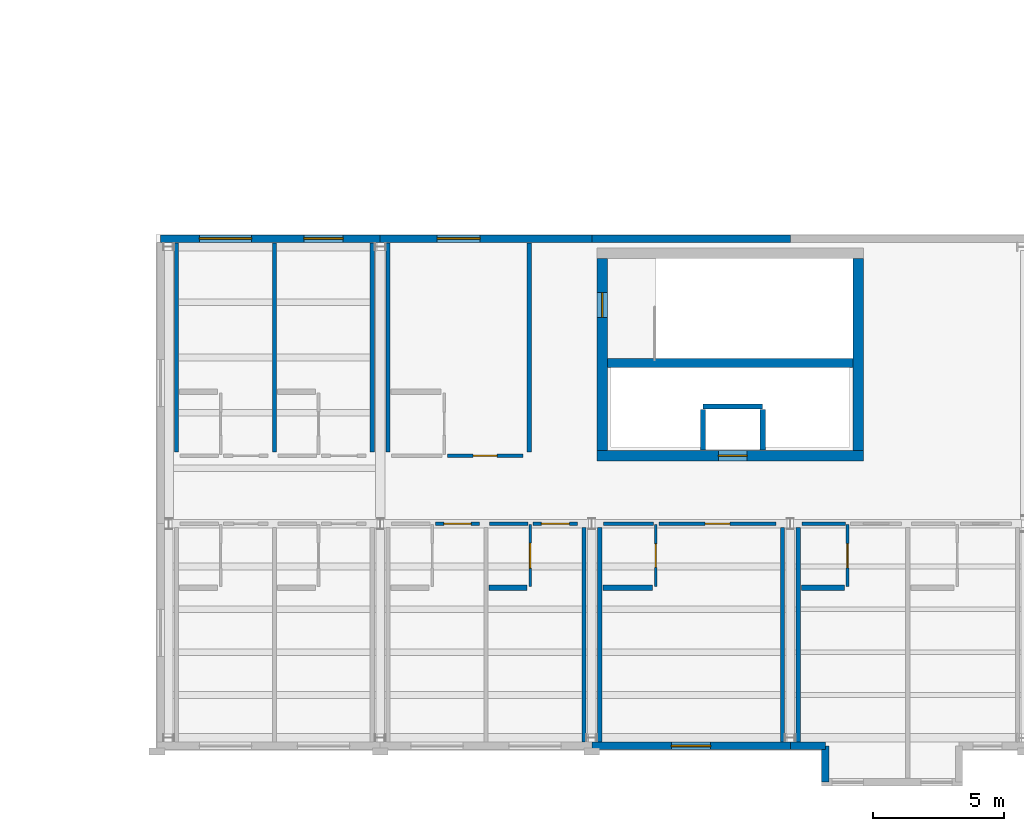
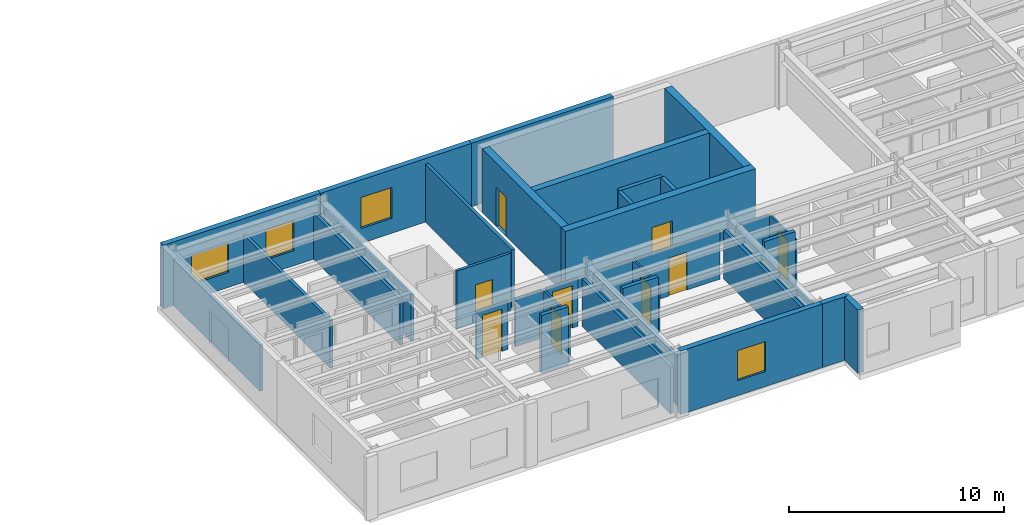
# One storey, part 12 of 27: 35 walls, 9 doors, 4 windows, 13 openings.
"""IFC4 building model written with IfcOpenShell, lengths in metres."""

import ifcopenshell
import ifcopenshell.guid

model = None  # the IFC model being written
_history = None  # IfcOwnerHistory: only IFC2X3 demands one
_inside = {}  # id of a spatial element -> (the spatial element, [elements in it])
_under = {}  # id of a project, library or spatial element -> (it, [spatial elements below it])
_declared = {}  # id of a project -> (the project, [libraries it declares])
_typed = {}  # id of a type object -> (the type object, [elements of that type])
_made_of = {}  # id of a material, layer set ... -> (it, [elements and type objects made of it])


def new_model(schema):
    """Start an empty IFC model of exactly this schema.

    Asked for "IFC4X3", IfcOpenShell would pick the latest addendum, in which some entities
    have other attributes; the version numbers below select the first issue.
    IFC2X3 requires an IfcOwnerHistory on every rooted entity: one is made here for all.
    """
    global model, _history
    if schema == "IFC4X3":
        model = ifcopenshell.file(schema_version=(4, 3, 0, 0))
    else:
        model = ifcopenshell.file(schema=schema)
    _inside.clear()
    _under.clear()
    _declared.clear()
    _typed.clear()
    _made_of.clear()
    _history = None
    if model.schema == "IFC2X3":
        org = make("IfcOrganization", Name="unknown")
        user = make(
            "IfcPersonAndOrganization",
            ThePerson=make("IfcPerson", FamilyName="unknown"),
            TheOrganization=org,
        )
        app = make(
            "IfcApplication",
            ApplicationDeveloper=org,
            Version="unknown",
            ApplicationFullName="unknown",
            ApplicationIdentifier="unknown",
        )
        _history = make(
            "IfcOwnerHistory",
            OwningUser=user,
            OwningApplication=app,
            ChangeAction="ADDED",
            CreationDate=0,
        )
    return model


def make(cls, **values):
    """One entity of the class cls with the attributes given. An attribute that is None is left unset."""
    return model.create_entity(
        cls, **{name: value for name, value in values.items() if value is not None}
    )


def rooted(cls, **values):
    """An entity with a GlobalId (a new one), such as an element, a storey or a relation."""
    return make(cls, GlobalId=ifcopenshell.guid.new(), OwnerHistory=_history, **values)


def si_unit(unit_type, name, prefix=None):
    """IfcSIUnit, for example si_unit("LENGTHUNIT", "METRE", prefix="MILLI")."""
    return make("IfcSIUnit", UnitType=unit_type, Prefix=prefix, Name=name)


def assignment(units):
    """IfcUnitAssignment: the units of a project."""
    return None if units is None else make("IfcUnitAssignment", Units=units)


def point(xyz):
    """IfcCartesianPoint."""
    return None if xyz is None else make("IfcCartesianPoint", Coordinates=xyz)


def direction(xyz):
    """IfcDirection."""
    return None if xyz is None else make("IfcDirection", DirectionRatios=xyz)


def frame(location, z_axis=None, x_axis=None):
    """IfcAxis2Placement3D, a coordinate frame: its origin and axes. An axis left out is left unset."""
    return make(
        "IfcAxis2Placement3D",
        Location=point(location),
        Axis=direction(z_axis),
        RefDirection=direction(x_axis),
    )


def frame_2d(location, x_axis=None):
    """IfcAxis2Placement2D, a coordinate frame in the plane: its origin and x axis."""
    return make(
        "IfcAxis2Placement2D", Location=point(location), RefDirection=direction(x_axis)
    )


def origin():
    """The frame at (0, 0, 0) with its axes left unset."""
    return frame((0.0, 0.0, 0.0))


def place(relative_to, where):
    """IfcLocalPlacement: puts the frame where relative to a parent placement (None: the world)."""
    return make(
        "IfcLocalPlacement", PlacementRelTo=relative_to, RelativePlacement=where
    )


def context(
    kind, dimensions, precision=None, world=None, true_north=None, identifier=None
):
    """IfcGeometricRepresentationContext, for example the 3D "Model" context."""
    return make(
        "IfcGeometricRepresentationContext",
        ContextIdentifier=identifier,
        ContextType=kind,
        CoordinateSpaceDimension=dimensions,
        Precision=precision,
        WorldCoordinateSystem=world,
        TrueNorth=true_north,
    )


def subcontext(parent, identifier, kind, view, scale=None):
    """IfcGeometricRepresentationSubContext, for example "Body" below "Model"."""
    return make(
        "IfcGeometricRepresentationSubContext",
        ContextIdentifier=identifier,
        ContextType=kind,
        ParentContext=parent,
        TargetScale=scale,
        TargetView=view,
    )


def project(units=None, contexts=None):
    """IfcProject with its units and contexts."""
    return rooted(
        "IfcProject",
        Name="project",
        RepresentationContexts=contexts,
        UnitsInContext=assignment(units),
    )


def spatial(cls, under=None, at=None, **own):
    """A site, building, storey or space (cls), placed at a placement, below another one or the project."""
    s = rooted(cls, ObjectPlacement=at, **own)
    if under is not None:
        _under.setdefault(under.id(), (under, []))[1].append(s)
    return s


def profile(cls, at=None, kind="AREA", **sizes):
    """A parametric profile (cls). Its sizes go by their IFC names, for example OverallWidth=200.0."""
    return make(cls, ProfileType=kind, Position=at, **sizes)


def rectangle(**sizes):
    """IfcRectangleProfileDef."""
    return profile("IfcRectangleProfileDef", **sizes)


def extrude(swept, where, along, depth):
    """IfcExtrudedAreaSolid: the profile swept, set in the frame where, extruded along a direction by depth."""
    return make(
        "IfcExtrudedAreaSolid",
        SweptArea=swept,
        Position=where,
        ExtrudedDirection=direction(along),
        Depth=depth,
    )


def shape(context_of_items, identifier, shape_type, items):
    """IfcShapeRepresentation: the items that make up one representation, for example the "Body"."""
    return make(
        "IfcShapeRepresentation",
        ContextOfItems=context_of_items,
        RepresentationIdentifier=identifier,
        RepresentationType=shape_type,
        Items=items,
    )


def material(Name=None, Category=None):
    """IfcMaterial."""
    return make("IfcMaterial", Name=Name, Category=Category)


def layer(
    of_material, thickness, ventilated=None, Name=None, Category=None, Priority=None
):
    """IfcMaterialLayer: one layer of a wall or slab, of a material (None: an air gap)."""
    return make(
        "IfcMaterialLayer",
        Material=of_material,
        LayerThickness=thickness,
        IsVentilated=ventilated,
        Name=Name,
        Category=Category,
        Priority=Priority,
    )


def layer_set(layers, Name=None):
    """IfcMaterialLayerSet."""
    return make("IfcMaterialLayerSet", MaterialLayers=layers, LayerSetName=Name)


def made_of(thing, what):
    """Note that an element or type object is made of a material, layer set ...; save() writes the relation."""
    if what is not None:
        _made_of.setdefault(what.id(), (what, []))[1].append(thing)
    return thing


def type_object(cls, material=None, **own):
    """A type object (cls), such as IfcWallType, which elements share."""
    return made_of(rooted(cls, **own), material)


def element(
    cls,
    number,
    at=None,
    inside=None,
    cuts=None,
    type_object=None,
    material=None,
    context=None,
    identifier="Body",
    shape_type=None,
    held_by="IfcProductDefinitionShape",
    body=None,
    shapes=None,
    **own,
):
    """One element of the class cls, such as IfcWall. Its Tag is "e" and its number.

    at: its placement. inside: the storey or other place that contains it. cuts: it is an
    opening in that element (IfcRelVoidsElement). A single representation is given by context,
    identifier, shape_type and body (its items); several are given by shapes. held_by: the class
    of the entity that holds the representations. save() writes the other relations.
    """
    e = rooted(cls, Tag="e%d" % number, ObjectPlacement=at, **own)
    if body is not None:
        shapes = [shape(context, identifier, shape_type, body)]
    if shapes is not None:
        e.Representation = make(held_by, Representations=shapes)
    if inside is not None:
        _inside.setdefault(inside.id(), (inside, []))[1].append(e)
    if cuts is not None:
        rooted(
            "IfcRelVoidsElement", RelatingBuildingElement=cuts, RelatedOpeningElement=e
        )
    if type_object is not None:
        _typed.setdefault(type_object.id(), (type_object, []))[1].append(e)
    return made_of(e, material)


def fill(opening, filler):
    """IfcRelFillsElement: the door or window that sits in an opening."""
    return rooted(
        "IfcRelFillsElement",
        RelatingOpeningElement=opening,
        RelatedBuildingElement=filler,
    )


def aggregate(whole, parts):
    """IfcRelAggregates: a whole, such as a stair, and the parts it consists of."""
    return rooted("IfcRelAggregates", RelatingObject=whole, RelatedObjects=parts)


def save(model, path):
    """Write the relations noted so far, then the file.

    IfcRelAggregates (storeys below a building ...), IfcRelContainedInSpatialStructure (elements
    in a storey), IfcRelDefinesByType, IfcRelAssociatesMaterial and IfcRelDeclares: one each for
    every whole, place, type object, material and project.
    """
    for whole, parts in _under.values():
        aggregate(whole, parts)
    for where, things in _inside.values():
        rooted(
            "IfcRelContainedInSpatialStructure",
            RelatedElements=things,
            RelatingStructure=where,
        )
    for kind, things in _typed.values():
        rooted("IfcRelDefinesByType", RelatedObjects=things, RelatingType=kind)
    for what, things in _made_of.values():
        rooted("IfcRelAssociatesMaterial", RelatedObjects=things, RelatingMaterial=what)
    for by, libraries in _declared.values():
        rooted("IfcRelDeclares", RelatingContext=by, RelatedDefinitions=libraries)
    model.write(path)


model = new_model("IFC4")

# Units and contexts
model_context = context("Model", 3, precision=1e-05, world=origin(), true_north=direction((0.0, 1.0)))
body_context = subcontext(model_context, "Body", "Model", "MODEL_VIEW")
ifc_project = project(units=[si_unit("LENGTHUNIT", "METRE"), si_unit("AREAUNIT", "SQUARE_METRE"), si_unit("VOLUMEUNIT", "CUBIC_METRE"), si_unit("PLANEANGLEUNIT", "RADIAN"), si_unit("MASSUNIT", "GRAM", prefix="KILO")], contexts=[model_context])

# Site, building, storey
site_placement = place(None, origin())
site = spatial("IfcSite", under=ifc_project, at=site_placement, CompositionType="ELEMENT")
building_placement = place(site_placement, origin())
building = spatial("IfcBuilding", under=site, at=building_placement, Name="Sollismere Congress Hotel", CompositionType="ELEMENT")
storey_placement = place(building_placement, frame((0.0, 0.0, 27.0)))
storey = spatial("IfcBuildingStorey", under=building, at=storey_placement, Name="L06", CompositionType="ELEMENT", Elevation=27.0)

# Wall, opening, window
ifc_material_1 = material(Name="Colorado Buff Sandstone Rainscreen on Insulated Backup", Category="masonry")
ifc_layer_1 = layer(ifc_material_1, 0.284912109375, Name="Colorado Buff Sandstone Rainscreen on Insulated Backup")
ifc_layer_set_1 = layer_set([ifc_layer_1], Name="Colorado Buff Sandstone Rainscreen on Insulated Backup")
wall_type_1 = type_object("IfcWallType", Name="WL-EXT285", PredefinedType="STANDARD", material=ifc_layer_set_1)
wall_1_placement = place(storey_placement, frame((50.39990234375, -0.31005859375, 0.0), z_axis=(0.0, 0.0, 1.0), x_axis=(1.0, 0.0, 0.0)))
wall_1 = element("IfcWall", 1, at=wall_1_placement, inside=storey, type_object=wall_type_1, Name="Exterior wall EW-L06-655", PredefinedType="STANDARD", context=body_context, shape_type="SweptSolid", body=[
    extrude(rectangle(XDim=7.60009765625, YDim=0.284912109375, at=frame_2d((3.800048828125, 0.0))), origin(), (0.0, 0.0, 1.0), 3.60009765625),
])
opening_1_placement = place(wall_1_placement, frame((3.050048828125, 0.0, 0.85009765625)))
opening_1 = element("IfcOpeningElement", 2, at=opening_1_placement, cuts=wall_1, Name="Opening W-L06-487", PredefinedType="OPENING", context=body_context, shape_type="SweptSolid", body=[
    extrude(rectangle(XDim=1.5, YDim=1.699951171875, at=frame_2d((0.75, 0.85009765625))), frame((0.0, 0.15234375, 0.0), z_axis=(0.0, -1.0, 0.0), x_axis=(1.0, 0.0, 0.0)), (0.0, 0.0, 1.0), 0.304931640625),
])
ifc_material_2 = material(Name="Thermally Broken Bronze Aluminum & Low-E Glass", Category="aluminium")
window_type_1 = type_object("IfcWindowType", Name="WN-P150x170", PartitioningType="SINGLE_PANEL", PredefinedType="WINDOW", material=ifc_material_2)
window_1_placement = place(opening_1_placement, origin())
window_1 = element("IfcWindow", 3, at=window_1_placement, inside=storey, type_object=window_type_1, Name="WIN-W-L06-487", OverallHeight=1.699951171875, OverallWidth=1.5, PartitioningType="SINGLE_PANEL", PredefinedType="WINDOW", context=body_context, shape_type="SweptSolid", body=[
    extrude(rectangle(XDim=1.5, YDim=1.699951171875, at=frame_2d((0.75, 0.85009765625))), frame((0.0, 0.030029296875, 0.0), z_axis=(0.0, -1.0, 0.0), x_axis=(1.0, 0.0, 0.0)), (0.0, 0.0, 1.0), 0.06005859375),
])
fill(opening_1, window_1)

# Walls
wall_2_placement = place(storey_placement, frame((58.0, -0.31005859375, 0.0), z_axis=(0.0, 0.0, 1.0), x_axis=(1.0, 0.0, 0.0)))
element("IfcWall", 4, at=wall_2_placement, inside=storey, type_object=wall_type_1, Name="Exterior wall EW-L06-657", PredefinedType="STANDARD", context=body_context, shape_type="SweptSolid", body=[
    extrude(rectangle(XDim=1.340087890625, YDim=0.284912109375, at=frame_2d((0.669921875, 0.0))), origin(), (0.0, 0.0, 1.0), 3.60009765625),
])
wall_3_placement = place(storey_placement, frame((59.340087890625, -0.31005859375, 0.0), z_axis=(0.0, 0.0, 1.0), x_axis=(0.0, -1.0, 0.0)))
element("IfcWall", 5, at=wall_3_placement, inside=storey, type_object=wall_type_1, Name="Exterior wall EW-L06-660", PredefinedType="STANDARD", context=body_context, shape_type="SweptSolid", body=[
    extrude(rectangle(XDim=1.389892578125, YDim=0.284912109375, at=frame_2d((0.69482421875, 0.0))), origin(), (0.0, 0.0, 1.0), 3.60009765625),
])

# Wall, openings, windows
wall_4_placement = place(storey_placement, frame((42.300048828125, 19.110107421875, 0.0), z_axis=(0.0, 0.0, 1.0), x_axis=(-1.0, 0.0, 0.0)))
wall_4 = element("IfcWall", 6, at=wall_4_placement, inside=storey, type_object=wall_type_1, Name="Exterior wall EW-L06-716", PredefinedType="STANDARD", context=body_context, shape_type="SweptSolid", body=[
    extrude(rectangle(XDim=8.41015625, YDim=0.284912109375, at=frame_2d((4.205078125, 0.0))), origin(), (0.0, 0.0, 1.0), 3.60009765625),
])
opening_2_placement = place(wall_4_placement, frame((4.925048828125, 0.0, 0.85009765625)))
opening_2 = element("IfcOpeningElement", 7, at=opening_2_placement, cuts=wall_4, Name="Opening W-L06-521", PredefinedType="OPENING", context=body_context, shape_type="SweptSolid", body=[
    extrude(rectangle(XDim=2.0, YDim=1.64990234375, at=frame_2d((1.0, 0.824951171875))), frame((0.0, 0.15234375, 0.0), z_axis=(0.0, -1.0, 0.0), x_axis=(1.0, 0.0, 0.0)), (0.0, 0.0, 1.0), 0.304931640625),
])
opening_3_placement = place(wall_4_placement, frame((1.425048828125, 0.0, 0.85009765625)))
opening_3 = element("IfcOpeningElement", 8, at=opening_3_placement, cuts=wall_4, Name="Opening W-L06-522", PredefinedType="OPENING", context=body_context, shape_type="SweptSolid", body=[
    extrude(rectangle(XDim=1.5, YDim=1.699951171875, at=frame_2d((0.75, 0.85009765625))), frame((0.0, 0.15234375, 0.0), z_axis=(0.0, -1.0, 0.0), x_axis=(1.0, 0.0, 0.0)), (0.0, 0.0, 1.0), 0.304931640625),
])
window_2_placement = place(opening_3_placement, origin())
window_2 = element("IfcWindow", 9, at=window_2_placement, inside=storey, type_object=window_type_1, Name="WIN-W-L06-522", OverallHeight=1.699951171875, OverallWidth=1.5, PartitioningType="SINGLE_PANEL", PredefinedType="WINDOW", context=body_context, shape_type="SweptSolid", body=[
    extrude(rectangle(XDim=1.5, YDim=1.699951171875, at=frame_2d((0.75, 0.85009765625))), frame((0.0, 0.030029296875, 0.0), z_axis=(0.0, -1.0, 0.0), x_axis=(1.0, 0.0, 0.0)), (0.0, 0.0, 1.0), 0.06005859375),
])
fill(opening_3, window_2)
window_type_2 = type_object("IfcWindowType", Name="WN-P200x165", PartitioningType="SINGLE_PANEL", PredefinedType="WINDOW", material=ifc_material_2)
window_3_placement = place(opening_2_placement, origin())
window_3 = element("IfcWindow", 10, at=window_3_placement, inside=storey, type_object=window_type_2, Name="WIN-W-L06-521", OverallHeight=1.64990234375, OverallWidth=2.0, PartitioningType="SINGLE_PANEL", PredefinedType="WINDOW", context=body_context, shape_type="SweptSolid", body=[
    extrude(rectangle(XDim=2.0, YDim=1.64990234375, at=frame_2d((1.0, 0.824951171875))), frame((0.0, 0.030029296875, 0.0), z_axis=(0.0, -1.0, 0.0), x_axis=(1.0, 0.0, 0.0)), (0.0, 0.0, 1.0), 0.06005859375),
])
fill(opening_2, window_3)

# Wall, opening, window
wall_5_placement = place(storey_placement, frame((50.39990234375, 19.110107421875, 0.0), z_axis=(0.0, 0.0, 1.0), x_axis=(-1.0, 0.0, 0.0)))
wall_5 = element("IfcWall", 11, at=wall_5_placement, inside=storey, type_object=wall_type_1, Name="Exterior wall EW-L06-717", PredefinedType="STANDARD", context=body_context, shape_type="SweptSolid", body=[
    extrude(rectangle(XDim=8.099853515625, YDim=0.284912109375, at=frame_2d((4.0498046875, 0.0))), origin(), (0.0, 0.0, 1.0), 3.60009765625),
])
opening_4_placement = place(wall_5_placement, frame((4.27490234375, 0.0, 0.85009765625)))
opening_4 = element("IfcOpeningElement", 12, at=opening_4_placement, cuts=wall_5, Name="Opening W-L06-523", PredefinedType="OPENING", context=body_context, shape_type="SweptSolid", body=[
    extrude(rectangle(XDim=1.64990234375, YDim=1.75, at=frame_2d((0.824951171875, 0.875))), frame((0.0, 0.15234375, 0.0), z_axis=(0.0, -1.0, 0.0), x_axis=(1.0, 0.0, 0.0)), (0.0, 0.0, 1.0), 0.304931640625),
])
window_type_3 = type_object("IfcWindowType", Name="WN-P165x175", PartitioningType="SINGLE_PANEL", PredefinedType="WINDOW", material=ifc_material_2)
window_4_placement = place(opening_4_placement, origin())
window_4 = element("IfcWindow", 13, at=window_4_placement, inside=storey, type_object=window_type_3, Name="WIN-W-L06-523", OverallHeight=1.75, OverallWidth=1.64990234375, PartitioningType="SINGLE_PANEL", PredefinedType="WINDOW", context=body_context, shape_type="SweptSolid", body=[
    extrude(rectangle(XDim=1.64990234375, YDim=1.75, at=frame_2d((0.824951171875, 0.875))), frame((0.0, 0.030029296875, 0.0), z_axis=(0.0, -1.0, 0.0), x_axis=(1.0, 0.0, 0.0)), (0.0, 0.0, 1.0), 0.06005859375),
])
fill(opening_4, window_4)

# Walls
wall_6_placement = place(storey_placement, frame((58.0, 19.110107421875, 0.0), z_axis=(0.0, 0.0, 1.0), x_axis=(-1.0, 0.0, 0.0)))
element("IfcWall", 14, at=wall_6_placement, inside=storey, type_object=wall_type_1, Name="Exterior wall EW-L06-718", PredefinedType="STANDARD", context=body_context, shape_type="SweptSolid", body=[
    extrude(rectangle(XDim=7.60009765625, YDim=0.284912109375, at=frame_2d((3.800048828125, 0.0))), origin(), (0.0, 0.0, 1.0), 3.60009765625),
])
ifc_material_3 = material(Name="Moisture-Resistant Shaft Gypsum Assembly")
ifc_layer_2 = layer(ifc_material_3, 0.199951171875, Name="Moisture-Resistant Shaft Gypsum Assembly")
ifc_layer_set_2 = layer_set([ifc_layer_2], Name="Moisture-Resistant Shaft Gypsum Assembly")
wall_type_2 = type_object("IfcWallType", Name="WL-PLM200", PredefinedType="PLUMBINGWALL", material=ifc_layer_set_2)
wall_7_placement = place(storey_placement, frame((54.655029296875, 12.68994140625, 0.0), z_axis=(0.0, 0.0, 1.0), x_axis=(1.0, 0.0, 0.0)))
element("IfcWall", 15, at=wall_7_placement, inside=storey, type_object=wall_type_2, Name="Interior wall IW-L06-0732", PredefinedType="PLUMBINGWALL", context=body_context, shape_type="SweptSolid", body=[
    extrude(rectangle(XDim=2.2900390625, YDim=0.199951171875, at=frame_2d((1.14501953125, 0.0))), origin(), (0.0, 0.0, 1.0), 3.2900390625),
])
for number, where, z_axis, x_axis, name in (
    (16, (54.655029296875, 11.011962890625, 0.0), (0.0, 0.0, 1.0), (0.0, 1.0, 0.0), "Interior wall IW-L06-0733"),
    (17, (56.945068359375, 11.011962890625, 0.0), (0.0, 0.0, 1.0), (0.0, 1.0, 0.0), "Interior wall IW-L06-0734"),
):
    element("IfcWall", number, at=place(storey_placement, frame(where, z_axis=z_axis, x_axis=x_axis)), inside=storey, type_object=wall_type_2, Name=name, PredefinedType="PLUMBINGWALL", context=body_context, shape_type="SweptSolid", body=[
        extrude(rectangle(XDim=1.56591796875, YDim=0.199951171875, at=frame_2d((0.782958984375, 0.0))), origin(), (0.0, 0.0, 1.0), 3.2900390625),
    ])
wall_8_placement = place(storey_placement, frame((46.469970703125, 5.75, 0.0), z_axis=(0.0, 0.0, 1.0), x_axis=(1.0, 0.0, 0.0)))
element("IfcWall", 18, at=wall_8_placement, inside=storey, type_object=wall_type_2, Name="Interior wall IW-L06-1993", PredefinedType="PLUMBINGWALL", context=body_context, shape_type="SweptSolid", body=[
    extrude(rectangle(XDim=1.447998046875, YDim=0.199951171875, at=frame_2d((0.72412109375, 0.0))), origin(), (0.0, 0.0, 1.0), 3.2900390625),
])
wall_9_placement = place(storey_placement, frame((50.820068359375, 5.75, 0.0), z_axis=(0.0, 0.0, 1.0), x_axis=(1.0, 0.0, 0.0)))
element("IfcWall", 19, at=wall_9_placement, inside=storey, type_object=wall_type_2, Name="Interior wall IW-L06-2005", PredefinedType="PLUMBINGWALL", context=body_context, shape_type="SweptSolid", body=[
    extrude(rectangle(XDim=1.909912109375, YDim=0.199951171875, at=frame_2d((0.955078125, 0.0))), origin(), (0.0, 0.0, 1.0), 3.2900390625),
])
wall_10_placement = place(storey_placement, frame((58.419921875, 5.75, 0.0), z_axis=(0.0, 0.0, 1.0), x_axis=(1.0, 0.0, 0.0)))
element("IfcWall", 20, at=wall_10_placement, inside=storey, type_object=wall_type_2, Name="Interior wall IW-L06-2011", PredefinedType="PLUMBINGWALL", context=body_context, shape_type="SweptSolid", body=[
    extrude(rectangle(XDim=1.650146484375, YDim=0.199951171875, at=frame_2d((0.8251953125, 0.0))), origin(), (0.0, 0.0, 1.0), 3.2900390625),
])

# Wall, opening, door
ifc_material_4 = material(Name="Moisture-Resistant Gypsum Partition")
ifc_layer_3 = layer(ifc_material_4, 0.10009765625, Name="Moisture-Resistant Gypsum Partition")
ifc_layer_set_3 = layer_set([ifc_layer_3], Name="Moisture-Resistant Gypsum Partition")
wall_type_3 = type_object("IfcWallType", Name="WL-PRT100", PredefinedType="PARTITIONING", material=ifc_layer_set_3)
wall_11_placement = place(storey_placement, frame((48.0380859375, 5.7900390625, 0.0), z_axis=(0.0, 0.0, 1.0), x_axis=(0.0, 1.0, 0.0)))
wall_11 = element("IfcWall", 21, at=wall_11_placement, inside=storey, type_object=wall_type_3, Name="Interior wall IW-L06-1992", PredefinedType="PARTITIONING", context=body_context, shape_type="SweptSolid", body=[
    extrude(rectangle(XDim=2.369873046875, YDim=0.10009765625, at=frame_2d((1.18505859375, 0.0))), origin(), (0.0, 0.0, 1.0), 2.702880859375),
])
opening_5_placement = place(wall_11_placement, frame((0.7080078125, 0.0, 0.0)))
opening_5 = element("IfcOpeningElement", 22, at=opening_5_placement, cuts=wall_11, Name="Opening D-L06-0703", PredefinedType="OPENING", context=body_context, shape_type="SweptSolid", body=[
    extrude(rectangle(XDim=0.955078125, YDim=2.139892578125, at=frame_2d((0.4775390625, 1.06982421875))), frame((0.0, 0.06005859375, 0.0), z_axis=(0.0, -1.0, 0.0), x_axis=(1.0, 0.0, 0.0)), (0.0, 0.0, 1.0), 0.1201171875),
])
ifc_material_5 = material(Name="Moisture-Sealed Timber Bathroom Door", Category="wood")
door_type_1 = type_object("IfcDoorType", Name="DR-BT04", OperationType="NOTDEFINED", PredefinedType="DOOR", material=ifc_material_5)
door_1_placement = place(opening_5_placement, origin())
door_1 = element("IfcDoor", 23, at=door_1_placement, inside=storey, type_object=door_type_1, Name="En-suite bathroom door D-L06-0703", OperationType="SINGLE_SWING_RIGHT", OverallHeight=2.139892578125, OverallWidth=0.955078125, PredefinedType="DOOR", context=body_context, shape_type="SweptSolid", body=[
    extrude(rectangle(XDim=0.955078125, YDim=2.139892578125, at=frame_2d((0.4775390625, 1.06982421875))), frame((0.0, 0.02490234375, 0.0), z_axis=(0.0, -1.0, 0.0), x_axis=(1.0, 0.0, 0.0)), (0.0, 0.0, 1.0), 0.050048828125),
])
fill(opening_5, door_1)

wall_12_placement = place(storey_placement, frame((52.85009765625, 5.7900390625, 0.0), z_axis=(0.0, 0.0, 1.0), x_axis=(0.0, 1.0, 0.0)))
wall_12 = element("IfcWall", 24, at=wall_12_placement, inside=storey, type_object=wall_type_3, Name="Interior wall IW-L06-2004", PredefinedType="PARTITIONING", context=body_context, shape_type="SweptSolid", body=[
    extrude(rectangle(XDim=2.369873046875, YDim=0.10009765625, at=frame_2d((1.18505859375, 0.0))), origin(), (0.0, 0.0, 1.0), 2.702880859375),
])
opening_6_placement = place(wall_12_placement, frame((0.73291015625, 0.0, 0.0)))
opening_6 = element("IfcOpeningElement", 25, at=opening_6_placement, cuts=wall_12, Name="Opening D-L06-0707", PredefinedType="OPENING", context=body_context, shape_type="SweptSolid", body=[
    extrude(rectangle(XDim=0.905029296875, YDim=2.179931640625, at=frame_2d((0.45263671875, 1.08984375))), frame((0.0, 0.06005859375, 0.0), z_axis=(0.0, -1.0, 0.0), x_axis=(1.0, 0.0, 0.0)), (0.0, 0.0, 1.0), 0.1201171875),
])
door_type_2 = type_object("IfcDoorType", Name="DR-BT06", OperationType="NOTDEFINED", PredefinedType="DOOR", material=ifc_material_5)
door_2_placement = place(opening_6_placement, origin())
door_2 = element("IfcDoor", 26, at=door_2_placement, inside=storey, type_object=door_type_2, Name="En-suite bathroom door D-L06-0707", OperationType="SINGLE_SWING_RIGHT", OverallHeight=2.179931640625, OverallWidth=0.905029296875, PredefinedType="DOOR", context=body_context, shape_type="SweptSolid", body=[
    extrude(rectangle(XDim=0.905029296875, YDim=2.179931640625, at=frame_2d((0.45263671875, 1.08984375))), frame((0.0, 0.02490234375, 0.0), z_axis=(0.0, -1.0, 0.0), x_axis=(1.0, 0.0, 0.0)), (0.0, 0.0, 1.0), 0.050048828125),
])
fill(opening_6, door_2)

wall_13_placement = place(storey_placement, frame((60.18994140625, 5.7900390625, 0.0), z_axis=(0.0, 0.0, 1.0), x_axis=(0.0, 1.0, 0.0)))
wall_13 = element("IfcWall", 27, at=wall_13_placement, inside=storey, type_object=wall_type_3, Name="Interior wall IW-L06-2010", PredefinedType="PARTITIONING", context=body_context, shape_type="SweptSolid", body=[
    extrude(rectangle(XDim=2.369873046875, YDim=0.10009765625, at=frame_2d((1.18505859375, 0.0))), origin(), (0.0, 0.0, 1.0), 2.702880859375),
])
opening_7_placement = place(wall_13_placement, frame((0.719970703125, 0.0, 0.0)))
opening_7 = element("IfcOpeningElement", 28, at=opening_7_placement, cuts=wall_13, Name="Opening D-L06-0709", PredefinedType="OPENING", context=body_context, shape_type="SweptSolid", body=[
    extrude(rectangle(XDim=0.929931640625, YDim=2.219970703125, at=frame_2d((0.46484375, 1.10986328125))), frame((0.0, 0.06005859375, 0.0), z_axis=(0.0, -1.0, 0.0), x_axis=(1.0, 0.0, 0.0)), (0.0, 0.0, 1.0), 0.1201171875),
])
door_type_3 = type_object("IfcDoorType", Name="DR-BT07", OperationType="NOTDEFINED", PredefinedType="DOOR", material=ifc_material_5)
door_3_placement = place(opening_7_placement, origin())
door_3 = element("IfcDoor", 29, at=door_3_placement, inside=storey, type_object=door_type_3, Name="En-suite bathroom door D-L06-0709", OperationType="SINGLE_SWING_RIGHT", OverallHeight=2.219970703125, OverallWidth=0.929931640625, PredefinedType="DOOR", context=body_context, shape_type="SweptSolid", body=[
    extrude(rectangle(XDim=0.929931640625, YDim=2.219970703125, at=frame_2d((0.46484375, 1.10986328125))), frame((0.0, 0.02490234375, 0.0), z_axis=(0.0, -1.0, 0.0), x_axis=(1.0, 0.0, 0.0)), (0.0, 0.0, 1.0), 0.050048828125),
])
fill(opening_7, door_3)

ifc_material_6 = material(Name="Fire-Rated Gypsum Partition")
ifc_layer_4 = layer(ifc_material_6, 0.139892578125, Name="Fire-Rated Gypsum Partition")
ifc_layer_set_4 = layer_set([ifc_layer_4], Name="Fire-Rated Gypsum Partition")
wall_type_4 = type_object("IfcWallType", Name="WL-PRT140R", PredefinedType="PARTITIONING", material=ifc_layer_set_4)
wall_14_placement = place(storey_placement, frame((44.407958984375, 8.199951171875, 0.0), z_axis=(0.0, 0.0, 1.0), x_axis=(1.0, 0.0, 0.0)))
wall_14 = element("IfcWall", 30, at=wall_14_placement, inside=storey, type_object=wall_type_4, Name="Interior wall IW-L06-1984", PredefinedType="PARTITIONING", context=body_context, shape_type="SweptSolid", body=[
    extrude(rectangle(XDim=1.7021484375, YDim=0.139892578125, at=frame_2d((0.85107421875, 0.0))), origin(), (0.0, 0.0, 1.0), 2.702880859375),
])
opening_8_placement = place(wall_14_placement, frame((0.3310546875, 0.0, 0.0)))
opening_8 = element("IfcOpeningElement", 31, at=opening_8_placement, cuts=wall_14, Name="Opening D-L06-0700", PredefinedType="OPENING", context=body_context, shape_type="SweptSolid", body=[
    extrude(rectangle(XDim=1.0400390625, YDim=2.39990234375, at=frame_2d((0.52001953125, 1.199951171875))), frame((0.0, 0.079833984375, 0.0), z_axis=(0.0, -1.0, 0.0), x_axis=(1.0, 0.0, 0.0)), (0.0, 0.0, 1.0), 0.159912109375),
])
ifc_material_7 = material(Name="Solid-Core Acoustic Walnut Guestroom Entry Door")
door_type_4 = type_object("IfcDoorType", Name="DR-KY11", OperationType="NOTDEFINED", PredefinedType="DOOR", material=ifc_material_7)
door_4_placement = place(opening_8_placement, origin())
door_4 = element("IfcDoor", 32, at=door_4_placement, inside=storey, type_object=door_type_4, Name="Hotel room entry door D-L06-0700", OperationType="SINGLE_SWING_LEFT", OverallHeight=2.39990234375, OverallWidth=1.0400390625, PredefinedType="DOOR", context=body_context, shape_type="SweptSolid", body=[
    extrude(rectangle(XDim=1.0400390625, YDim=2.39990234375, at=frame_2d((0.52001953125, 1.199951171875))), frame((0.0, 0.02490234375, 0.0), z_axis=(0.0, -1.0, 0.0), x_axis=(1.0, 0.0, 0.0)), (0.0, 0.0, 1.0), 0.050048828125),
])
fill(opening_8, door_4)

# Wall
wall_15_placement = place(storey_placement, frame((46.489990234375, 8.199951171875, 0.0), z_axis=(0.0, 0.0, 1.0), x_axis=(1.0, 0.0, 0.0)))
element("IfcWall", 33, at=wall_15_placement, inside=storey, type_object=wall_type_4, Name="Interior wall IW-L06-1989", PredefinedType="PARTITIONING", context=body_context, shape_type="SweptSolid", body=[
    extrude(rectangle(XDim=1.468017578125, YDim=0.139892578125, at=frame_2d((0.73388671875, 0.0))), origin(), (0.0, 0.0, 1.0), 2.702880859375),
])

# Wall, opening, door
wall_16_placement = place(storey_placement, frame((48.157958984375, 8.199951171875, 0.0), z_axis=(0.0, 0.0, 1.0), x_axis=(1.0, 0.0, 0.0)))
wall_16 = element("IfcWall", 34, at=wall_16_placement, inside=storey, type_object=wall_type_4, Name="Interior wall IW-L06-1990", PredefinedType="PARTITIONING", context=body_context, shape_type="SweptSolid", body=[
    extrude(rectangle(XDim=1.7021484375, YDim=0.139892578125, at=frame_2d((0.85107421875, 0.0))), origin(), (0.0, 0.0, 1.0), 2.702880859375),
])
opening_9_placement = place(wall_16_placement, frame((0.31591796875, 0.0, 0.0)))
opening_9 = element("IfcOpeningElement", 35, at=opening_9_placement, cuts=wall_16, Name="Opening D-L06-0702", PredefinedType="OPENING", context=body_context, shape_type="SweptSolid", body=[
    extrude(rectangle(XDim=1.070068359375, YDim=2.39990234375, at=frame_2d((0.53515625, 1.199951171875))), frame((0.0, 0.079833984375, 0.0), z_axis=(0.0, -1.0, 0.0), x_axis=(1.0, 0.0, 0.0)), (0.0, 0.0, 1.0), 0.159912109375),
])
door_type_5 = type_object("IfcDoorType", Name="DR-KY12", OperationType="NOTDEFINED", PredefinedType="DOOR", material=ifc_material_7)
door_5_placement = place(opening_9_placement, origin())
door_5 = element("IfcDoor", 36, at=door_5_placement, inside=storey, type_object=door_type_5, Name="Hotel room entry door D-L06-0702", OperationType="SINGLE_SWING_LEFT", OverallHeight=2.39990234375, OverallWidth=1.070068359375, PredefinedType="DOOR", context=body_context, shape_type="SweptSolid", body=[
    extrude(rectangle(XDim=1.070068359375, YDim=2.39990234375, at=frame_2d((0.53515625, 1.199951171875))), frame((0.0, 0.02490234375, 0.0), z_axis=(0.0, -1.0, 0.0), x_axis=(1.0, 0.0, 0.0)), (0.0, 0.0, 1.0), 0.050048828125),
])
fill(opening_9, door_5)

wall_17_placement = place(storey_placement, frame((44.8701171875, 10.800048828125, 0.0), z_axis=(0.0, 0.0, 1.0), x_axis=(1.0, 0.0, 0.0)))
wall_17 = element("IfcWall", 37, at=wall_17_placement, inside=storey, type_object=wall_type_4, Name="Interior wall IW-L06-1995", PredefinedType="PARTITIONING", context=body_context, shape_type="SweptSolid", body=[
    extrude(rectangle(XDim=2.889892578125, YDim=0.139892578125, at=frame_2d((1.44482421875, 0.0))), origin(), (0.0, 0.0, 1.0), 3.2900390625),
])
opening_10_placement = place(wall_17_placement, frame((0.985107421875, 0.0, 0.0)))
opening_10 = element("IfcOpeningElement", 38, at=opening_10_placement, cuts=wall_17, Name="Opening D-L06-0704", PredefinedType="OPENING", context=body_context, shape_type="SweptSolid", body=[
    extrude(rectangle(XDim=0.919921875, YDim=2.14990234375, at=frame_2d((0.4599609375, 1.074951171875))), frame((0.0, 0.079833984375, 0.0), z_axis=(0.0, -1.0, 0.0), x_axis=(1.0, 0.0, 0.0)), (0.0, 0.0, 1.0), 0.159912109375),
])
door_type_6 = type_object("IfcDoorType", Name="DR-KY01", OperationType="NOTDEFINED", PredefinedType="DOOR", material=ifc_material_7)
door_6_placement = place(opening_10_placement, origin())
door_6 = element("IfcDoor", 39, at=door_6_placement, inside=storey, type_object=door_type_6, Name="Hotel room entry door D-L06-0704", OperationType="SINGLE_SWING_LEFT", OverallHeight=2.14990234375, OverallWidth=0.919921875, PredefinedType="DOOR", context=body_context, shape_type="SweptSolid", body=[
    extrude(rectangle(XDim=0.919921875, YDim=2.14990234375, at=frame_2d((0.4599609375, 1.074951171875))), frame((0.0, 0.02490234375, 0.0), z_axis=(0.0, -1.0, 0.0), x_axis=(1.0, 0.0, 0.0)), (0.0, 0.0, 1.0), 0.050048828125),
])
fill(opening_10, door_6)

# Wall
wall_18_placement = place(storey_placement, frame((50.840087890625, 8.199951171875, 0.0), z_axis=(0.0, 0.0, 1.0), x_axis=(1.0, 0.0, 0.0)))
element("IfcWall", 40, at=wall_18_placement, inside=storey, type_object=wall_type_4, Name="Interior wall IW-L06-2000", PredefinedType="PARTITIONING", context=body_context, shape_type="SweptSolid", body=[
    extrude(rectangle(XDim=1.929931640625, YDim=0.139892578125, at=frame_2d((0.96484375, 0.0))), origin(), (0.0, 0.0, 1.0), 2.702880859375),
])

# Wall, opening, door
wall_19_placement = place(storey_placement, frame((52.969970703125, 8.199951171875, 0.0), z_axis=(0.0, 0.0, 1.0), x_axis=(1.0, 0.0, 0.0)))
wall_19 = element("IfcWall", 41, at=wall_19_placement, inside=storey, type_object=wall_type_4, Name="Interior wall IW-L06-2001", PredefinedType="PARTITIONING", context=body_context, shape_type="SweptSolid", body=[
    extrude(rectangle(XDim=4.489990234375, YDim=0.139892578125, at=frame_2d((2.2451171875, 0.0))), origin(), (0.0, 0.0, 1.0), 2.702880859375),
])
opening_11_placement = place(wall_19_placement, frame((1.77001953125, 0.0, 0.0)))
opening_11 = element("IfcOpeningElement", 42, at=opening_11_placement, cuts=wall_19, Name="Opening D-L06-0706", PredefinedType="OPENING", context=body_context, shape_type="SweptSolid", body=[
    extrude(rectangle(XDim=0.949951171875, YDim=2.14990234375, at=frame_2d((0.47509765625, 1.074951171875))), frame((0.0, 0.079833984375, 0.0), z_axis=(0.0, -1.0, 0.0), x_axis=(1.0, 0.0, 0.0)), (0.0, 0.0, 1.0), 0.159912109375),
])
door_type_7 = type_object("IfcDoorType", Name="DR-KY02", OperationType="NOTDEFINED", PredefinedType="DOOR", material=ifc_material_7)
door_7_placement = place(opening_11_placement, origin())
door_7 = element("IfcDoor", 43, at=door_7_placement, inside=storey, type_object=door_type_7, Name="Hotel room entry door D-L06-0706", OperationType="SINGLE_SWING_LEFT", OverallHeight=2.14990234375, OverallWidth=0.949951171875, PredefinedType="DOOR", context=body_context, shape_type="SweptSolid", body=[
    extrude(rectangle(XDim=0.949951171875, YDim=2.14990234375, at=frame_2d((0.47509765625, 1.074951171875))), frame((0.0, 0.02490234375, 0.0), z_axis=(0.0, -1.0, 0.0), x_axis=(1.0, 0.0, 0.0)), (0.0, 0.0, 1.0), 0.050048828125),
])
fill(opening_11, door_7)

# Walls
wall_20_placement = place(storey_placement, frame((58.43994140625, 8.199951171875, 0.0), z_axis=(0.0, 0.0, 1.0), x_axis=(1.0, 0.0, 0.0)))
element("IfcWall", 44, at=wall_20_placement, inside=storey, type_object=wall_type_4, Name="Interior wall IW-L06-2006", PredefinedType="PARTITIONING", context=body_context, shape_type="SweptSolid", body=[
    extrude(rectangle(XDim=1.670166015625, YDim=0.139892578125, at=frame_2d((0.8349609375, 0.0))), origin(), (0.0, 0.0, 1.0), 2.702880859375),
])
ifc_material_8 = material(Name="Fire-Rated Acoustic Gypsum Partition")
ifc_layer_5 = layer(ifc_material_8, 0.1650390625, Name="Fire-Rated Acoustic Gypsum Partition")
ifc_layer_set_5 = layer_set([ifc_layer_5], Name="Fire-Rated Acoustic Gypsum Partition")
wall_type_5 = type_object("IfcWallType", Name="WL-PRT165R", PredefinedType="PARTITIONING", material=ifc_layer_set_5)
wall_21_placement = place(storey_placement, frame((34.5, 10.93994140625, 0.0), z_axis=(0.0, 0.0, 1.0), x_axis=(0.0, 1.0, 0.0)))
element("IfcWall", 45, at=wall_21_placement, inside=storey, type_object=wall_type_5, Name="Interior wall IW-L06-1974", PredefinedType="PARTITIONING", context=body_context, shape_type="SweptSolid", body=[
    extrude(rectangle(XDim=8.012451171875, YDim=0.1650390625, at=frame_2d((4.00634765625, 0.0))), origin(), (0.0, 0.0, 1.0), 2.618896484375),
])
wall_22_placement = place(storey_placement, frame((38.25, 10.93994140625, 0.0), z_axis=(0.0, 0.0, 1.0), x_axis=(0.0, 1.0, 0.0)))
element("IfcWall", 46, at=wall_22_placement, inside=storey, type_object=wall_type_5, Name="Interior wall IW-L06-1975", PredefinedType="PARTITIONING", context=body_context, shape_type="SweptSolid", body=[
    extrude(rectangle(XDim=8.012451171875, YDim=0.1650390625, at=frame_2d((4.00634765625, 0.0))), origin(), (0.0, 0.0, 1.0), 2.702880859375),
])
wall_23_placement = place(storey_placement, frame((42.0, 10.93994140625, 0.0), z_axis=(0.0, 0.0, 1.0), x_axis=(0.0, 1.0, 0.0)))
element("IfcWall", 47, at=wall_23_placement, inside=storey, type_object=wall_type_5, Name="Interior wall IW-L06-1980", PredefinedType="PARTITIONING", context=body_context, shape_type="SweptSolid", body=[
    extrude(rectangle(XDim=8.012451171875, YDim=0.1650390625, at=frame_2d((4.00634765625, 0.0))), origin(), (0.0, 0.0, 1.0), 2.618896484375),
])
wall_24_placement = place(storey_placement, frame((50.10009765625, -0.152587890625, 0.0), z_axis=(0.0, 0.0, 1.0), x_axis=(0.0, 1.0, 0.0)))
element("IfcWall", 48, at=wall_24_placement, inside=storey, type_object=wall_type_5, Name="Interior wall IW-L06-1991", PredefinedType="PARTITIONING", context=body_context, shape_type="SweptSolid", body=[
    extrude(rectangle(XDim=8.212646484375, YDim=0.1650390625, at=frame_2d((4.1064453125, 0.0))), origin(), (0.0, 0.0, 1.0), 2.679931640625),
])
wall_25_placement = place(storey_placement, frame((42.60009765625, 10.93994140625, 0.0), z_axis=(0.0, 0.0, 1.0), x_axis=(0.0, 1.0, 0.0)))
element("IfcWall", 49, at=wall_25_placement, inside=storey, type_object=wall_type_5, Name="Interior wall IW-L06-1996", PredefinedType="PARTITIONING", context=body_context, shape_type="SweptSolid", body=[
    extrude(rectangle(XDim=8.012451171875, YDim=0.1650390625, at=frame_2d((4.00634765625, 0.0))), origin(), (0.0, 0.0, 1.0), 2.618896484375),
])
wall_26_placement = place(storey_placement, frame((48.0, 10.93994140625, 0.0), z_axis=(0.0, 0.0, 1.0), x_axis=(0.0, 1.0, 0.0)))
element("IfcWall", 50, at=wall_26_placement, inside=storey, type_object=wall_type_5, Name="Interior wall IW-L06-1997", PredefinedType="PARTITIONING", context=body_context, shape_type="SweptSolid", body=[
    extrude(rectangle(XDim=8.012451171875, YDim=0.1650390625, at=frame_2d((4.00634765625, 0.0))), origin(), (0.0, 0.0, 1.0), 3.2900390625),
])
for number, where, z_axis, x_axis, name in (
    (51, (50.699951171875, -0.152587890625, 0.0), (0.0, 0.0, 1.0), (0.0, 1.0, 0.0), "Interior wall IW-L06-2002"),
    (52, (57.699951171875, -0.152587890625, 0.0), (0.0, 0.0, 1.0), (0.0, 1.0, 0.0), "Interior wall IW-L06-2003"),
):
    element("IfcWall", number, at=place(storey_placement, frame(where, z_axis=z_axis, x_axis=x_axis)), inside=storey, type_object=wall_type_5, Name=name, PredefinedType="PARTITIONING", context=body_context, shape_type="SweptSolid", body=[
        extrude(rectangle(XDim=8.212646484375, YDim=0.1650390625, at=frame_2d((4.1064453125, 0.0))), origin(), (0.0, 0.0, 1.0), 2.763916015625),
    ])
wall_27_placement = place(storey_placement, frame((58.300048828125, -0.152587890625, 0.0), z_axis=(0.0, 0.0, 1.0), x_axis=(0.0, 1.0, 0.0)))
element("IfcWall", 53, at=wall_27_placement, inside=storey, type_object=wall_type_5, Name="Interior wall IW-L06-2008", PredefinedType="PARTITIONING", context=body_context, shape_type="SweptSolid", body=[
    extrude(rectangle(XDim=8.212646484375, YDim=0.1650390625, at=frame_2d((4.1064453125, 0.0))), origin(), (0.0, 0.0, 1.0), 2.679931640625),
])
ifc_material_9 = material(Name="Concrete C50/60", Category="concrete")
ifc_layer_6 = layer(ifc_material_9, 0.35009765625, Name="Concrete C50/60")
ifc_layer_set_6 = layer_set([ifc_layer_6], Name="Concrete C50/60")
wall_type_6 = type_object("IfcWallType", Name="WL-SHR350", PredefinedType="SHEAR", material=ifc_layer_set_6)
wall_28_placement = place(storey_placement, frame((51.0, 14.35009765625, 0.0), z_axis=(0.0, 0.0, 1.0), x_axis=(1.0, 0.0, 0.0)))
element("IfcWall", 54, at=wall_28_placement, inside=storey, type_object=wall_type_6, Name="Interior wall IW-L06-0731", PredefinedType="SHEAR", context=body_context, shape_type="SweptSolid", body=[
    extrude(rectangle(XDim=9.39990234375, YDim=0.35009765625, at=frame_2d((4.699951171875, 0.0))), origin(), (0.0, 0.0, 1.0), 3.60009765625),
])

# Wall, opening, door
ifc_layer_7 = layer(ifc_material_9, 0.39990234375, Name="Concrete C50/60")
ifc_layer_set_7 = layer_set([ifc_layer_7], Name="Concrete C50/60")
wall_type_7 = type_object("IfcWallType", Name="WL-SHR400", PredefinedType="SHEAR", material=ifc_layer_set_7)
wall_29_placement = place(storey_placement, frame((50.60009765625, 10.800048828125, 0.0), z_axis=(0.0, 0.0, 1.0), x_axis=(1.0, 0.0, 0.0)))
wall_29 = element("IfcWall", 55, at=wall_29_placement, inside=storey, type_object=wall_type_7, Name="Interior wall IW-L06-0727", PredefinedType="SHEAR", context=body_context, shape_type="SweptSolid", body=[
    extrude(rectangle(XDim=10.199951171875, YDim=0.39990234375, at=frame_2d((5.10009765625, 0.0))), origin(), (0.0, 0.0, 1.0), 3.60009765625),
])
opening_12_placement = place(wall_29_placement, frame((4.64990234375, 0.0, 0.0)))
opening_12 = element("IfcOpeningElement", 56, at=opening_12_placement, cuts=wall_29, Name="Opening LD-LP-09-L06", PredefinedType="OPENING", context=body_context, shape_type="SweptSolid", body=[
    extrude(rectangle(XDim=1.10009765625, YDim=2.199951171875, at=frame_2d((0.550048828125, 1.10009765625))), frame((0.0, 0.2099609375, 0.0), z_axis=(0.0, -1.0, 0.0), x_axis=(1.0, 0.0, 0.0)), (0.0, 0.0, 1.0), 0.419921875),
])
ifc_material_10 = material(Name="Brushed Bronze Sliding Elevator Landing Door")
door_type_8 = type_object("IfcDoorType", Name="DR-LD110", OperationType="NOTDEFINED", PredefinedType="DOOR", material=ifc_material_10)
door_8_placement = place(opening_12_placement, origin())
door_8 = element("IfcDoor", 57, at=door_8_placement, inside=storey, type_object=door_type_8, Name="Elevator landing door LD-LP-09-L06", OperationType="SLIDING_TO_LEFT", OverallHeight=2.199951171875, OverallWidth=1.10009765625, PredefinedType="DOOR", context=body_context, shape_type="SweptSolid", body=[
    extrude(rectangle(XDim=1.10009765625, YDim=2.199951171875, at=frame_2d((0.550048828125, 1.10009765625))), frame((0.0, 0.02490234375, 0.0), z_axis=(0.0, -1.0, 0.0), x_axis=(1.0, 0.0, 0.0)), (0.0, 0.0, 1.0), 0.050048828125),
])
fill(opening_12, door_8)

wall_30_placement = place(storey_placement, frame((50.800048828125, 18.35009765625, 0.0), z_axis=(0.0, 0.0, 1.0), x_axis=(0.0, -1.0, 0.0)))
wall_30 = element("IfcWall", 58, at=wall_30_placement, inside=storey, type_object=wall_type_7, Name="Interior wall IW-L06-0729", PredefinedType="SHEAR", context=body_context, shape_type="SweptSolid", body=[
    extrude(rectangle(XDim=7.35009765625, YDim=0.39990234375, at=frame_2d((3.675048828125, 0.0))), origin(), (0.0, 0.0, 1.0), 3.60009765625),
])
opening_13_placement = place(wall_30_placement, frame((1.300048828125, 0.0, 0.0)))
opening_13 = element("IfcOpeningElement", 59, at=opening_13_placement, cuts=wall_30, Name="Opening D-ST-06-L06", PredefinedType="OPENING", context=body_context, shape_type="SweptSolid", body=[
    extrude(rectangle(XDim=0.949951171875, YDim=2.199951171875, at=frame_2d((0.47509765625, 1.10009765625))), frame((0.0, 0.2099609375, 0.0), z_axis=(0.0, -1.0, 0.0), x_axis=(1.0, 0.0, 0.0)), (0.0, 0.0, 1.0), 0.419921875),
])
ifc_material_11 = material(Name="Fire-Rated Insulated Steel Door", Category="steel")
door_type_9 = type_object("IfcDoorType", Name="DR-FD90", OperationType="NOTDEFINED", PredefinedType="DOOR", material=ifc_material_11)
door_9_placement = place(opening_13_placement, origin())
door_9 = element("IfcDoor", 60, at=door_9_placement, inside=storey, type_object=door_type_9, Name="Exit stair fire door D-ST-06-L06", OperationType="SINGLE_SWING_LEFT", OverallHeight=2.199951171875, OverallWidth=0.949951171875, PredefinedType="DOOR", context=body_context, shape_type="SweptSolid", body=[
    extrude(rectangle(XDim=0.949951171875, YDim=2.199951171875, at=frame_2d((0.47509765625, 1.10009765625))), frame((0.0, 0.02490234375, 0.0), z_axis=(0.0, -1.0, 0.0), x_axis=(1.0, 0.0, 0.0)), (0.0, 0.0, 1.0), 0.050048828125),
])
fill(opening_13, door_9)

# Wall
wall_31_placement = place(storey_placement, frame((60.60009765625, 11.0, 0.0), z_axis=(0.0, 0.0, 1.0), x_axis=(0.0, 1.0, 0.0)))
element("IfcWall", 61, at=wall_31_placement, inside=storey, type_object=wall_type_7, Name="Interior wall IW-L06-0730", PredefinedType="SHEAR", context=body_context, shape_type="SweptSolid", body=[
    extrude(rectangle(XDim=7.35009765625, YDim=0.39990234375, at=frame_2d((3.675048828125, 0.0))), origin(), (0.0, 0.0, 1.0), 3.60009765625),
])

save(model, "model.ifc")
